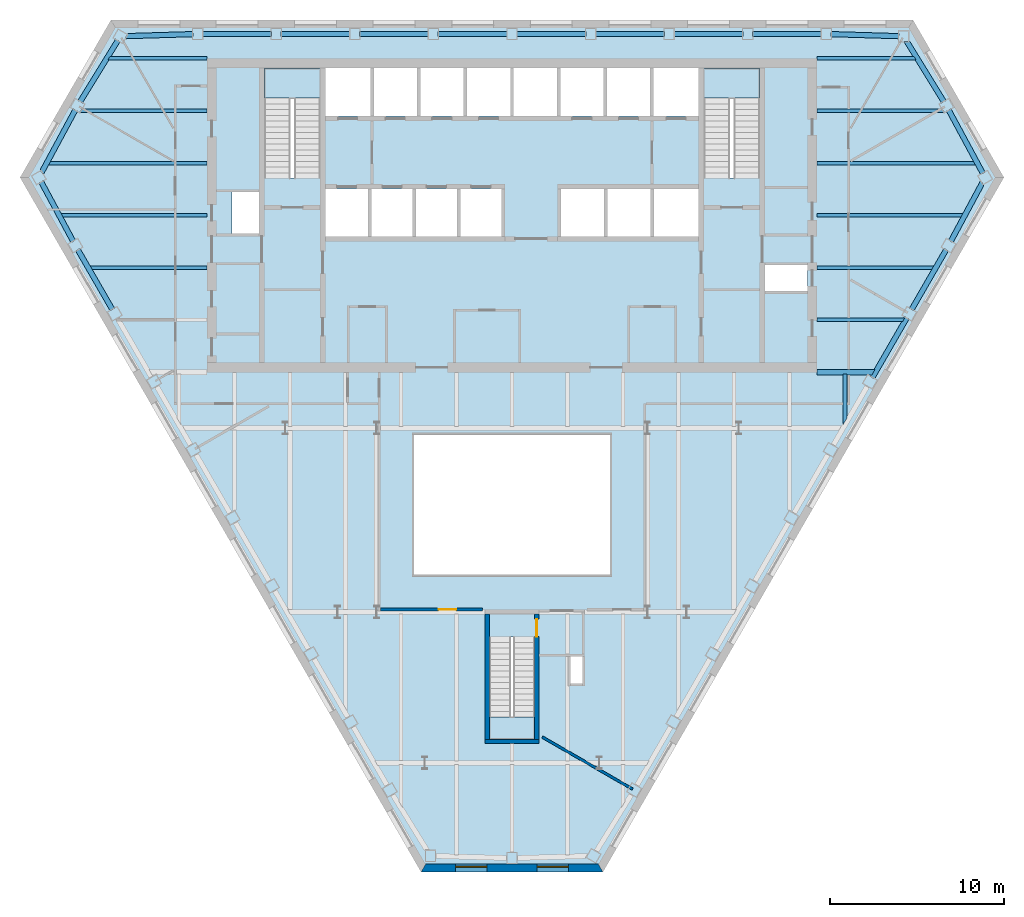
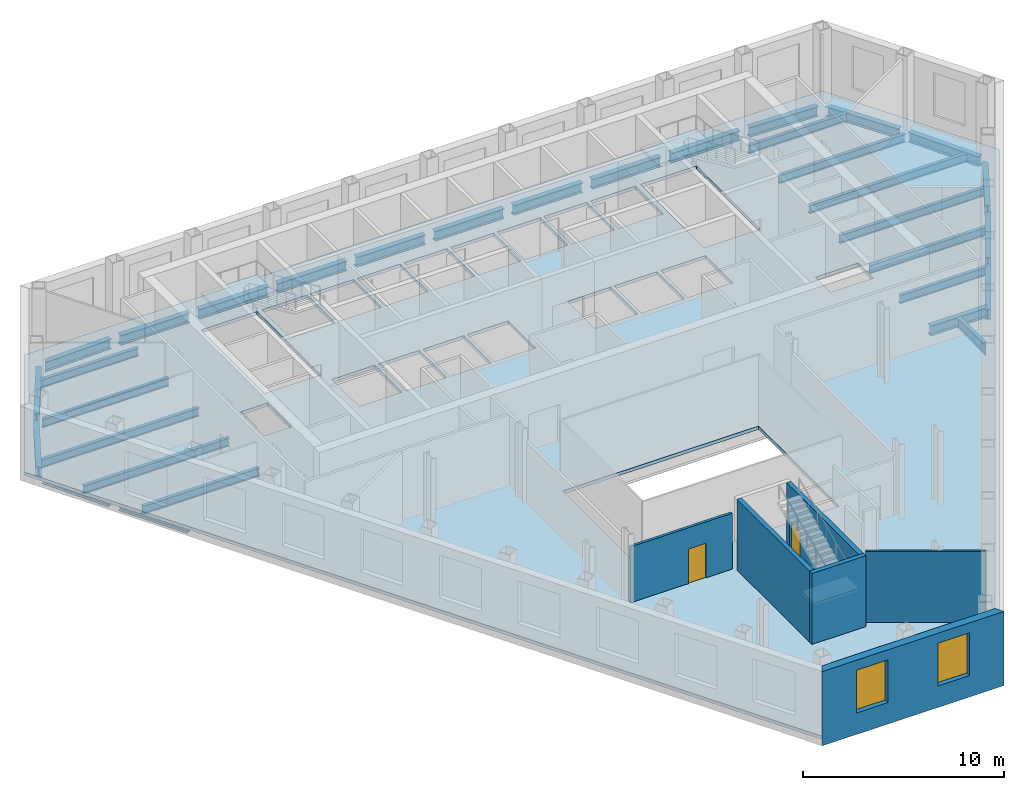
# One storey, part 3 of 11: 32 beams, 6 walls, 4 slabs, 2 doors, 2 windows, 4 openings, 3 elements without a shape of their own.
"""IFC4 building model written with IfcOpenShell, lengths in metres."""

from ifc_helpers import new_model, si_unit, direction, frame, frame_2d, origin, origin_2d, place, context, subcontext, project, spatial, polyline, rectangle, i_section, outline, extrude, clip, halfspace, material, layer, layer_set, material_profile, profile_set, type_object, element, fill, aggregate, save


model = new_model("IFC4")

# Units and contexts
model_context = context("Model", 3, precision=1e-05, world=origin(), true_north=direction((0.0, 1.0)))
body_context = subcontext(model_context, "Body", "Model", "MODEL_VIEW")
ifc_project = project(units=[si_unit("LENGTHUNIT", "METRE"), si_unit("AREAUNIT", "SQUARE_METRE"), si_unit("VOLUMEUNIT", "CUBIC_METRE"), si_unit("PLANEANGLEUNIT", "RADIAN"), si_unit("MASSUNIT", "GRAM", prefix="KILO")], contexts=[model_context])

# Site, building, storey
site_placement = place(None, origin())
site = spatial("IfcSite", under=ifc_project, at=site_placement, CompositionType="ELEMENT")
building_placement = place(site_placement, origin())
building = spatial("IfcBuilding", under=site, at=building_placement, Name="Njiva Tower", CompositionType="ELEMENT")
storey_placement = place(building_placement, frame((0.0, 0.0, 88.8)))
storey = spatial("IfcBuildingStorey", under=building, at=storey_placement, Name="L18", CompositionType="ELEMENT", Elevation=88.8)

# Beams
ifc_material_1 = material(Name="Steel S355 J2", Category="steel")
ifc_material_profile_1 = material_profile(ifc_material_1, i_section(OverallWidth=0.22, OverallDepth=0.6, WebThickness=0.012, FlangeThickness=0.019, at=origin_2d()), Name="IPE 600")
ifc_profile_set_1 = profile_set([ifc_material_profile_1], Name="Steel S355 J2")
beam_type_1 = type_object("IfcBeamType", Name="B14 Short-span floor joist IPE 600", PredefinedType="JOIST", material=ifc_profile_set_1)
beam_1_placement = place(storey_placement, frame((19.1, -0.1, -0.5), z_axis=(0.0, -1.0, 0.0), x_axis=(1.0, 0.0, 0.0)))
element("IfcBeam", 1, at=beam_1_placement, inside=storey, type_object=beam_type_1, Name="Short-span floor joist S06-B086", PredefinedType="JOIST", context=body_context, shape_type="Clipping", body=[
    clip(extrude(i_section(OverallWidth=0.22, OverallDepth=0.6, WebThickness=0.012, FlangeThickness=0.019, at=origin_2d()), origin(), (0.0, 0.0, 1.0), 2.923), halfspace(frame((0.0433, 0.0, 2.6366), z_axis=(0.866026552831, 0.0, 0.499998009787), x_axis=(0.0, 1.0, 0.0)), False)),
])
ifc_material_profile_2 = material_profile(ifc_material_1, i_section(OverallWidth=0.3, OverallDepth=0.6, WebThickness=0.0155, FlangeThickness=0.03, at=origin_2d()), Name="HEB 600")
ifc_profile_set_2 = profile_set([ifc_material_profile_2], Name="Steel S355 J2")
beam_type_2 = type_object("IfcBeamType", Name="B21 Short-span floor girder HEB 600", PredefinedType="BEAM", material=ifc_profile_set_2)
beam_2_placement = place(storey_placement, frame((17.5, 0.0, -0.5), z_axis=(1.0, 0.0, 0.0), x_axis=(0.0, 1.0, 0.0)))
element("IfcBeam", 2, at=beam_2_placement, inside=storey, type_object=beam_type_2, Name="Short-span floor girder S06-B027", PredefinedType="BEAM", context=body_context, shape_type="Clipping", body=[
    clip(extrude(i_section(OverallWidth=0.3, OverallDepth=0.6, WebThickness=0.0155, FlangeThickness=0.03, at=origin_2d()), origin(), (0.0, 0.0, 1.0), 3.33), halfspace(frame((-0.025, 0.0, 3.2089), z_axis=(-0.499998009787, 0.0, 0.866026552831), x_axis=(0.0, 1.0, 0.0)), False)),
])
ifc_material_profile_3 = material_profile(ifc_material_1, i_section(OverallWidth=0.2, OverallDepth=0.5, WebThickness=0.0102, FlangeThickness=0.016, at=origin_2d()), Name="IPE 500")
ifc_profile_set_3 = profile_set([ifc_material_profile_3], Name="Steel S355 J2")
beam_type_3 = type_object("IfcBeamType", Name="B24 Floor beam to the core IPE 500", PredefinedType="BEAM", material=ifc_profile_set_3)
beam_3_placement = place(storey_placement, frame((17.5, 3.0, -0.45), z_axis=(1.0, 0.0, 0.0), x_axis=(0.0, 1.0, 0.0)))
element("IfcBeam", 3, at=beam_3_placement, inside=storey, type_object=beam_type_3, Name="Floor beam to the core S06-B008", PredefinedType="BEAM", context=body_context, shape_type="Clipping", body=[
    clip(extrude(i_section(OverallWidth=0.2, OverallDepth=0.5, WebThickness=0.0102, FlangeThickness=0.016, at=origin_2d()), origin(), (0.0, 0.0, 1.0), 5.033), halfspace(frame((-0.025, 0.0, 4.9409), z_axis=(-0.499998009787, 0.0, 0.866026552831), x_axis=(0.0, 1.0, 0.0)), False)),
])
beam_4_placement = place(storey_placement, frame((-24.265, 6.0, -0.45), z_axis=(1.0, 0.0, 0.0), x_axis=(0.0, 1.0, 0.0)))
element("IfcBeam", 4, at=beam_4_placement, inside=storey, type_object=beam_type_3, Name="Floor beam to the core S06-B004", PredefinedType="BEAM", context=body_context, shape_type="Clipping", body=[
    clip(extrude(i_section(OverallWidth=0.2, OverallDepth=0.5, WebThickness=0.0102, FlangeThickness=0.016, at=origin_2d()), origin(), (0.0, 0.0, 1.0), 6.765), halfspace(frame((-0.025, 0.0, 0.092), z_axis=(-0.499998009787, 0.0, -0.866026552831), x_axis=(0.0, -1.0, 0.0)), False)),
])
beam_5_placement = place(storey_placement, frame((17.5, 6.0, -0.45), z_axis=(1.0, 0.0, 0.0), x_axis=(0.0, 1.0, 0.0)))
element("IfcBeam", 5, at=beam_5_placement, inside=storey, type_object=beam_type_3, Name="Floor beam to the core S06-B010", PredefinedType="BEAM", context=body_context, shape_type="Clipping", body=[
    clip(extrude(i_section(OverallWidth=0.2, OverallDepth=0.5, WebThickness=0.0102, FlangeThickness=0.016, at=origin_2d()), origin(), (0.0, 0.0, 1.0), 6.765), halfspace(frame((-0.025, 0.0, 6.673), z_axis=(-0.499998009787, 0.0, 0.866026552831), x_axis=(0.0, 1.0, 0.0)), False)),
])
beam_6_placement = place(storey_placement, frame((-25.927, 9.0, -0.45), z_axis=(1.0, 0.0, 0.0), x_axis=(0.0, 1.0, 0.0)))
element("IfcBeam", 6, at=beam_6_placement, inside=storey, type_object=beam_type_3, Name="Floor beam to the core S06-B002", PredefinedType="BEAM", context=body_context, shape_type="Clipping", body=[
    clip(extrude(i_section(OverallWidth=0.2, OverallDepth=0.5, WebThickness=0.0102, FlangeThickness=0.016, at=origin_2d()), origin(), (0.0, 0.0, 1.0), 8.427), halfspace(frame((-0.0237, 0.0, 0.0867), z_axis=(-0.47376166762, 0.0, -0.88065309986), x_axis=(0.0, -1.0, 0.0)), False)),
])
beam_7_placement = place(storey_placement, frame((17.5, 9.0, -0.45), z_axis=(1.0, 0.0, 0.0), x_axis=(0.0, 1.0, 0.0)))
element("IfcBeam", 7, at=beam_7_placement, inside=storey, type_object=beam_type_3, Name="Floor beam to the core S06-B011", PredefinedType="BEAM", context=body_context, shape_type="Clipping", body=[
    clip(extrude(i_section(OverallWidth=0.2, OverallDepth=0.5, WebThickness=0.0102, FlangeThickness=0.016, at=origin_2d()), origin(), (0.0, 0.0, 1.0), 8.427), halfspace(frame((-0.0237, 0.0, 8.3403), z_axis=(-0.47376166762, 0.0, 0.88065309986), x_axis=(0.0, 1.0, 0.0)), False)),
])
beam_8_placement = place(storey_placement, frame((-26.643, 12.0, -0.45), z_axis=(1.0, 0.0, 0.0), x_axis=(0.0, 1.0, 0.0)))
element("IfcBeam", 8, at=beam_8_placement, inside=storey, type_object=beam_type_3, Name="Floor beam to the core S06-B001", PredefinedType="BEAM", context=body_context, shape_type="Clipping", body=[
    clip(extrude(i_section(OverallWidth=0.2, OverallDepth=0.5, WebThickness=0.0102, FlangeThickness=0.016, at=origin_2d()), origin(), (0.0, 0.0, 1.0), 9.143), halfspace(frame((0.0238, 0.0, 0.0866), z_axis=(0.475159753962, 0.0, -0.879899544388), x_axis=(0.0, -1.0, 0.0)), False)),
])
beam_9_placement = place(storey_placement, frame((17.5, 12.0, -0.45), z_axis=(1.0, 0.0, 0.0), x_axis=(0.0, 1.0, 0.0)))
element("IfcBeam", 9, at=beam_9_placement, inside=storey, type_object=beam_type_3, Name="Floor beam to the core S06-B012", PredefinedType="BEAM", context=body_context, shape_type="Clipping", body=[
    clip(extrude(i_section(OverallWidth=0.2, OverallDepth=0.5, WebThickness=0.0102, FlangeThickness=0.016, at=origin_2d()), origin(), (0.0, 0.0, 1.0), 9.143), halfspace(frame((0.0238, 0.0, 9.0564), z_axis=(0.475159753962, 0.0, 0.879899544388), x_axis=(0.0, 1.0, 0.0)), False)),
])
beam_10_placement = place(storey_placement, frame((-24.806, 15.0, -0.45), z_axis=(1.0, 0.0, 0.0), x_axis=(0.0, 1.0, 0.0)))
element("IfcBeam", 10, at=beam_10_placement, inside=storey, type_object=beam_type_3, Name="Floor beam to the core S06-B003", PredefinedType="BEAM", context=body_context, shape_type="Clipping", body=[
    clip(extrude(i_section(OverallWidth=0.2, OverallDepth=0.5, WebThickness=0.0102, FlangeThickness=0.016, at=origin_2d()), origin(), (0.0, 0.0, 1.0), 7.306), halfspace(frame((0.025, 0.0, 0.0929), z_axis=(0.499998009787, 0.0, -0.866026552831), x_axis=(0.0, -1.0, 0.0)), False)),
])
beam_11_placement = place(storey_placement, frame((17.5, 15.0, -0.45), z_axis=(1.0, 0.0, 0.0), x_axis=(0.0, 1.0, 0.0)))
element("IfcBeam", 11, at=beam_11_placement, inside=storey, type_object=beam_type_3, Name="Floor beam to the core S06-B013", PredefinedType="BEAM", context=body_context, shape_type="Clipping", body=[
    clip(extrude(i_section(OverallWidth=0.2, OverallDepth=0.5, WebThickness=0.0102, FlangeThickness=0.016, at=origin_2d()), origin(), (0.0, 0.0, 1.0), 7.306), halfspace(frame((0.025, 0.0, 7.2131), z_axis=(0.499998009787, 0.0, 0.866026552831), x_axis=(0.0, 1.0, 0.0)), False)),
])
beam_12_placement = place(storey_placement, frame((-23.201, 18.0, -0.45), z_axis=(1.0, 0.0, 0.0), x_axis=(0.0, 1.0, 0.0)))
element("IfcBeam", 12, at=beam_12_placement, inside=storey, type_object=beam_type_3, Name="Floor beam to the core S06-B005", PredefinedType="BEAM", context=body_context, shape_type="Clipping", body=[
    clip(extrude(i_section(OverallWidth=0.2, OverallDepth=0.5, WebThickness=0.0102, FlangeThickness=0.016, at=origin_2d()), origin(), (0.0, 0.0, 1.0), 5.701), halfspace(frame((0.0262, 0.0, 0.098), z_axis=(0.524438842014, 0.0, -0.851448119962), x_axis=(0.0, -1.0, 0.0)), False)),
])
beam_13_placement = place(storey_placement, frame((17.5, 18.0, -0.45), z_axis=(1.0, 0.0, 0.0), x_axis=(0.0, 1.0, 0.0)))
element("IfcBeam", 13, at=beam_13_placement, inside=storey, type_object=beam_type_3, Name="Floor beam to the core S06-B014", PredefinedType="BEAM", context=body_context, shape_type="Clipping", body=[
    clip(extrude(i_section(OverallWidth=0.2, OverallDepth=0.5, WebThickness=0.0102, FlangeThickness=0.016, at=origin_2d()), origin(), (0.0, 0.0, 1.0), 5.701), halfspace(frame((0.0262, 0.0, 5.603), z_axis=(0.524438842014, 0.0, 0.851448119962), x_axis=(0.0, 1.0, 0.0)), False)),
])
ifc_material_profile_4 = material_profile(ifc_material_1, i_section(OverallWidth=0.3, OverallDepth=0.6, WebThickness=0.0155, FlangeThickness=0.03, at=origin_2d()), Name="HEB 600")
ifc_profile_set_4 = profile_set([ifc_material_profile_4], Name="Steel S355 J2")
beam_type_4 = type_object("IfcBeamType", Name="B3 Short-span spandrel beam HEB 600", PredefinedType="SPANDREL", material=ifc_profile_set_4)
beam_14_placement = place(storey_placement, frame((22.177, 19.275, -0.5), z_axis=(-0.999543780598, 0.030203156593, 0.0), x_axis=(-0.030203156593, -0.999543780598, 0.0)))
element("IfcBeam", 14, at=beam_14_placement, inside=storey, type_object=beam_type_4, Name="Short-span spandrel beam S06-B144", PredefinedType="SPANDREL", context=body_context, shape_type="SweptSolid", body=[
    extrude(i_section(OverallWidth=0.3, OverallDepth=0.6, WebThickness=0.0155, FlangeThickness=0.03, at=origin_2d()), origin(), (0.0, 0.0, 1.0), 3.8738),
])
beam_15_placement = place(storey_placement, frame((17.751, 19.4, -0.5), z_axis=(-1.0, 0.0, 0.0), x_axis=(0.0, -1.0, 0.0)))
element("IfcBeam", 15, at=beam_15_placement, inside=storey, type_object=beam_type_4, Name="Short-span spandrel beam S06-B138", PredefinedType="SPANDREL", context=body_context, shape_type="SweptSolid", body=[
    extrude(i_section(OverallWidth=0.3, OverallDepth=0.6, WebThickness=0.0155, FlangeThickness=0.03, at=origin_2d()), origin(), (0.0, 0.0, 1.0), 3.956),
])
beam_16_placement = place(storey_placement, frame((13.245, 19.4, -0.5), z_axis=(-1.0, 0.0, 0.0), x_axis=(0.0, -1.0, 0.0)))
element("IfcBeam", 16, at=beam_16_placement, inside=storey, type_object=beam_type_4, Name="Short-span spandrel beam S06-B133", PredefinedType="SPANDREL", context=body_context, shape_type="SweptSolid", body=[
    extrude(i_section(OverallWidth=0.3, OverallDepth=0.6, WebThickness=0.0155, FlangeThickness=0.03, at=origin_2d()), origin(), (0.0, 0.0, 1.0), 3.957),
])
beam_17_placement = place(storey_placement, frame((8.738, 19.4, -0.5), z_axis=(-1.0, 0.0, 0.0), x_axis=(0.0, -1.0, 0.0)))
element("IfcBeam", 17, at=beam_17_placement, inside=storey, type_object=beam_type_4, Name="Short-span spandrel beam S06-B129", PredefinedType="SPANDREL", context=body_context, shape_type="SweptSolid", body=[
    extrude(i_section(OverallWidth=0.3, OverallDepth=0.6, WebThickness=0.0155, FlangeThickness=0.03, at=origin_2d()), origin(), (0.0, 0.0, 1.0), 3.956),
])
for number, where, z_axis, x_axis, name in (
    (18, (4.232, 19.4, -0.5), (-1.0, 0.0, 0.0), (0.0, -1.0, 0.0), "Short-span spandrel beam S06-B125"),
    (19, (-0.275, 19.4, -0.5), (-1.0, 0.0, 0.0), (0.0, -1.0, 0.0), "Short-span spandrel beam S06-B124"),
):
    element("IfcBeam", number, at=place(storey_placement, frame(where, z_axis=z_axis, x_axis=x_axis)), inside=storey, type_object=beam_type_4, Name=name, PredefinedType="SPANDREL", context=body_context, shape_type="SweptSolid", body=[
        extrude(i_section(OverallWidth=0.3, OverallDepth=0.6, WebThickness=0.0155, FlangeThickness=0.03, at=origin_2d()), origin(), (0.0, 0.0, 1.0), 3.957),
    ])
beam_18_placement = place(storey_placement, frame((-4.782, 19.4, -0.5), z_axis=(-1.0, 0.0, 0.0), x_axis=(0.0, -1.0, 0.0)))
element("IfcBeam", 20, at=beam_18_placement, inside=storey, type_object=beam_type_4, Name="Short-span spandrel beam S06-B119", PredefinedType="SPANDREL", context=body_context, shape_type="SweptSolid", body=[
    extrude(i_section(OverallWidth=0.3, OverallDepth=0.6, WebThickness=0.0155, FlangeThickness=0.03, at=origin_2d()), origin(), (0.0, 0.0, 1.0), 3.956),
])
beam_19_placement = place(storey_placement, frame((-9.288, 19.4, -0.5), z_axis=(-1.0, 0.0, 0.0), x_axis=(0.0, -1.0, 0.0)))
element("IfcBeam", 21, at=beam_19_placement, inside=storey, type_object=beam_type_4, Name="Short-span spandrel beam S06-B114", PredefinedType="SPANDREL", context=body_context, shape_type="SweptSolid", body=[
    extrude(i_section(OverallWidth=0.3, OverallDepth=0.6, WebThickness=0.0155, FlangeThickness=0.03, at=origin_2d()), origin(), (0.0, 0.0, 1.0), 3.957),
])
beam_20_placement = place(storey_placement, frame((-13.795, 19.4, -0.5), z_axis=(-1.0, 0.0, 0.0), x_axis=(0.0, -1.0, 0.0)))
element("IfcBeam", 22, at=beam_20_placement, inside=storey, type_object=beam_type_4, Name="Short-span spandrel beam S06-B109", PredefinedType="SPANDREL", context=body_context, shape_type="SweptSolid", body=[
    extrude(i_section(OverallWidth=0.3, OverallDepth=0.6, WebThickness=0.0155, FlangeThickness=0.03, at=origin_2d()), origin(), (0.0, 0.0, 1.0), 3.956),
])
beam_21_placement = place(storey_placement, frame((-18.305, 19.392, -0.5), z_axis=(-0.999542144167, -0.030257264169, 0.0), x_axis=(0.030257264169, -0.999542144167, 0.0)))
element("IfcBeam", 23, at=beam_21_placement, inside=storey, type_object=beam_type_4, Name="Short-span spandrel beam S06-B103", PredefinedType="SPANDREL", context=body_context, shape_type="Clipping", body=[
    clip(extrude(i_section(OverallWidth=0.3, OverallDepth=0.6, WebThickness=0.0155, FlangeThickness=0.03, at=origin_2d()), origin(), (0.0, 0.0, 1.0), 3.9137), halfspace(frame((-0.0268, 0.0, 3.784), z_axis=(-0.525972676968, 0.0, 0.850501465656), x_axis=(0.0, 1.0, 0.0)), False)),
])
beam_22_placement = place(storey_placement, frame((-22.602, 19.03, -0.5), z_axis=(-0.524381711278, -0.851483306282, 0.0), x_axis=(0.851483306282, -0.524381711278, 0.0)))
element("IfcBeam", 24, at=beam_22_placement, inside=storey, type_object=beam_type_4, Name="Short-span spandrel beam S06-B099", PredefinedType="SPANDREL", context=body_context, shape_type="SweptSolid", body=[
    extrude(i_section(OverallWidth=0.3, OverallDepth=0.6, WebThickness=0.0155, FlangeThickness=0.03, at=origin_2d()), origin(), (0.0, 0.0, 1.0), 4.121),
])
beam_23_placement = place(storey_placement, frame((-25.042, 15.039, -0.5), z_axis=(-0.475057104316, -0.879954969097, 0.0), x_axis=(0.879954969097, -0.475057104316, 0.0)))
element("IfcBeam", 25, at=beam_23_placement, inside=storey, type_object=beam_type_4, Name="Short-span spandrel beam S06-B095", PredefinedType="SPANDREL", context=body_context, shape_type="Clipping", body=[
    clip(extrude(i_section(OverallWidth=0.3, OverallDepth=0.6, WebThickness=0.0155, FlangeThickness=0.03, at=origin_2d()), origin(), (0.0, 0.0, 1.0), 4.1599), halfspace(frame((-0.0265, 0.0, 4.0321), z_axis=(-0.524536761841, 0.0, 0.8513877997), x_axis=(0.0, 1.0, 0.0)), False)),
])
beam_24_placement = place(storey_placement, frame((-27.0, 10.922, -0.5), z_axis=(0.473761074189, -0.880653419106, 0.0), x_axis=(0.880653419106, 0.473761074189, 0.0)))
element("IfcBeam", 26, at=beam_24_placement, inside=storey, type_object=beam_type_4, Name="Short-span spandrel beam S06-B094", PredefinedType="SPANDREL", context=body_context, shape_type="SweptSolid", body=[
    extrude(i_section(OverallWidth=0.3, OverallDepth=0.6, WebThickness=0.0155, FlangeThickness=0.03, at=origin_2d()), origin(), (0.0, 0.0, 1.0), 3.8733),
])
beam_25_placement = place(storey_placement, frame((-24.896, 7.027, -0.5), z_axis=(0.500079715141, -0.865979375335, 0.0), x_axis=(0.865979375335, 0.500079715141, 0.0)))
element("IfcBeam", 27, at=beam_25_placement, inside=storey, type_object=beam_type_4, Name="Short-span spandrel beam S06-B097", PredefinedType="SPANDREL", context=body_context, shape_type="SweptSolid", body=[
    extrude(i_section(OverallWidth=0.3, OverallDepth=0.6, WebThickness=0.0155, FlangeThickness=0.03, at=origin_2d()), origin(), (0.0, 0.0, 1.0), 3.9574),
])
beam_26_placement = place(storey_placement, frame((20.664, -0.303, -0.5), z_axis=(0.499890179513, 0.866088799389, 0.0), x_axis=(-0.866088799389, 0.499890179513, 0.0)))
element("IfcBeam", 28, at=beam_26_placement, inside=storey, type_object=beam_type_4, Name="Short-span spandrel beam S06-B149", PredefinedType="SPANDREL", context=body_context, shape_type="SweptSolid", body=[
    extrude(i_section(OverallWidth=0.3, OverallDepth=0.6, WebThickness=0.0155, FlangeThickness=0.03, at=origin_2d()), origin(), (0.0, 0.0, 1.0), 3.9569),
])
beam_27_placement = place(storey_placement, frame((22.917, 3.6, -0.5), z_axis=(0.500079715141, 0.865979375335, 0.0), x_axis=(-0.865979375335, 0.500079715141, 0.0)))
element("IfcBeam", 29, at=beam_27_placement, inside=storey, type_object=beam_type_4, Name="Short-span spandrel beam S06-B152", PredefinedType="SPANDREL", context=body_context, shape_type="SweptSolid", body=[
    extrude(i_section(OverallWidth=0.3, OverallDepth=0.6, WebThickness=0.0155, FlangeThickness=0.03, at=origin_2d()), origin(), (0.0, 0.0, 1.0), 3.9574),
])
beam_28_placement = place(storey_placement, frame((25.165, 7.511, -0.5), z_axis=(0.473958577477, 0.88054714061, 0.0), x_axis=(-0.88054714061, 0.473958577477, 0.0)))
element("IfcBeam", 30, at=beam_28_placement, inside=storey, type_object=beam_type_4, Name="Short-span spandrel beam S06-B156", PredefinedType="SPANDREL", context=body_context, shape_type="Clipping", body=[
    clip(extrude(i_section(OverallWidth=0.3, OverallDepth=0.6, WebThickness=0.0155, FlangeThickness=0.03, at=origin_2d()), origin(), (0.0, 0.0, 1.0), 3.9129), halfspace(frame((-0.0259, 0.0, 3.7834), z_axis=(-0.525598859328, 0.0, 0.850732530866), x_axis=(0.0, 1.0, 0.0)), False)),
])
beam_29_placement = place(storey_placement, frame((27.0, 11.412, -0.5), z_axis=(-0.475039963556, 0.879964222582, 0.0), x_axis=(-0.879964222582, -0.475039963556, 0.0)))
element("IfcBeam", 31, at=beam_29_placement, inside=storey, type_object=beam_type_4, Name="Short-span spandrel beam S06-B153", PredefinedType="SPANDREL", context=body_context, shape_type="SweptSolid", body=[
    extrude(i_section(OverallWidth=0.3, OverallDepth=0.6, WebThickness=0.0155, FlangeThickness=0.03, at=origin_2d()), origin(), (0.0, 0.0, 1.0), 4.1218),
])
beam_30_placement = place(storey_placement, frame((24.763, 15.521, -0.5), z_axis=(-0.524345563629, 0.851505566572, 0.0), x_axis=(-0.851505566572, -0.524345563629, 0.0)))
element("IfcBeam", 32, at=beam_30_placement, inside=storey, type_object=beam_type_4, Name="Short-span spandrel beam S06-B150", PredefinedType="SPANDREL", context=body_context, shape_type="Clipping", body=[
    clip(extrude(i_section(OverallWidth=0.3, OverallDepth=0.6, WebThickness=0.0155, FlangeThickness=0.03, at=origin_2d()), origin(), (0.0, 0.0, 1.0), 4.1589), halfspace(frame((-0.0262, 0.0, 4.0308), z_axis=(-0.524345563629, 0.0, 0.851505566572), x_axis=(0.0, 1.0, 0.0)), False)),
])

# Stair, slab
ifc_material_2 = material(Name="Concrete C40/50", Category="concrete")
stair_type_1 = type_object("IfcStairType", Name="ST4 Exit stair 1500", PredefinedType="HALF_TURN_STAIR", material=ifc_material_2)
stair_1_placement = place(storey_placement, origin())
stair_1 = element("IfcStair", 33, at=stair_1_placement, inside=storey, type_object=stair_type_1, Name="Stair A", PredefinedType="HALF_TURN_STAIR")
ifc_layer_1 = layer(ifc_material_2, 0.2)
ifc_layer_set_1 = layer_set([ifc_layer_1], Name="Concrete C40/50")
slab_type_1 = type_object("IfcSlabType", Name="FL9 Stair landing 200", PredefinedType="LANDING", material=ifc_layer_set_1)
slab_1_placement = place(storey_placement, frame((0.0, 0.0, 2.05)))
slab_1 = element("IfcSlab", 34, at=slab_1_placement, type_object=slab_type_1, Name="ST-A landing 1", PredefinedType="LANDING", context=body_context, shape_type="SweptSolid", body=[
    extrude(outline(polyline([(-14.206, 15.72), (-10.994, 15.72), (-10.994, 17.45), (-14.206, 17.45), (-14.206, 15.72)])), origin(), (0.0, 0.0, 1.0), 0.2),
])
aggregate(stair_1, [slab_1])

stair_2_placement = place(storey_placement, origin())
stair_2 = element("IfcStair", 35, at=stair_2_placement, inside=storey, type_object=stair_type_1, Name="Stair B", PredefinedType="HALF_TURN_STAIR")
slab_2_placement = place(storey_placement, frame((0.0, 0.0, 2.05)))
slab_2 = element("IfcSlab", 36, at=slab_2_placement, type_object=slab_type_1, Name="ST-B landing 1", PredefinedType="LANDING", context=body_context, shape_type="SweptSolid", body=[
    extrude(outline(polyline([(10.994, 15.72), (14.206, 15.72), (14.206, 17.45), (10.994, 17.45), (10.994, 15.72)])), origin(), (0.0, 0.0, 1.0), 0.2),
])
aggregate(stair_2, [slab_2])

stair_type_2 = type_object("IfcStairType", Name="ST1 Exit stair 1250", PredefinedType="HALF_TURN_STAIR", material=ifc_material_2)
stair_3_placement = place(storey_placement, origin())
stair_3 = element("IfcStair", 37, at=stair_3_placement, inside=storey, type_object=stair_type_2, Name="Stair C", PredefinedType="HALF_TURN_STAIR")
slab_3_placement = place(storey_placement, frame((0.0, 0.0, 2.05)))
slab_3 = element("IfcSlab", 38, at=slab_3_placement, type_object=slab_type_1, Name="ST-C landing 1", PredefinedType="LANDING", context=body_context, shape_type="SweptSolid", body=[
    extrude(outline(polyline([(-1.306, -21.05), (1.306, -21.05), (1.306, -19.78), (-1.306, -19.78), (-1.306, -21.05)])), origin(), (0.0, 0.0, 1.0), 0.2),
])
aggregate(stair_3, [slab_3])

# Slab
ifc_material_3 = material(Name="Concrete C30/37", Category="concrete")
ifc_layer_2 = layer(ifc_material_3, 0.2)
ifc_layer_set_2 = layer_set([ifc_layer_2], Name="Concrete C30/37")
slab_type_2 = type_object("IfcSlabType", Name="SL16 Composite floor slab 200", PredefinedType="FLOOR", material=ifc_layer_set_2)
slab_4_placement = place(storey_placement, frame((0.0, 0.0, -0.2)))
element("IfcSlab", 39, at=slab_4_placement, inside=storey, type_object=slab_type_2, Name="Floor slab L18", PredefinedType="FLOOR", context=body_context, shape_type="SweptSolid", body=[
    extrude(outline(polyline([(27.9502, 11.1674), (5.0851, -28.4362), (-5.0851, -28.4362), (-27.9502, 11.1674), (-22.8651, 19.975), (22.8651, 19.975), (27.9502, 11.1674)]), holes=[polyline([(14.5, 4.65), (16.95, 4.65), (16.95, 6.15), (14.5, 6.15), (14.5, 4.65)]), polyline([(10.994, 17.45), (10.994, 11.13), (14.206, 11.13), (14.206, 17.45), (10.994, 17.45)]), polyline([(8.125, 17.45), (8.125, 14.7), (10.7, 14.7), (10.7, 17.45), (8.125, 17.45)]), polyline([(8.1333, 7.8), (10.7, 7.8), (10.7, 10.5), (8.1333, 10.5), (8.1333, 7.8)]), polyline([(5.4667, 10.5), (5.4667, 7.8), (7.9333, 7.8), (7.9333, 10.5), (5.4667, 10.5)]), polyline([(5.45, 17.45), (5.45, 14.7), (7.925, 14.7), (7.925, 17.45), (5.45, 17.45)]), polyline([(5.61, -11.6), (5.61, -3.6), (-5.61, -3.6), (-5.61, -11.6), (5.61, -11.6)]), polyline([(2.8, 10.5), (2.8, 7.8), (5.2667, 7.8), (5.2667, 10.5), (2.8, 10.5)]), polyline([(2.775, 14.7), (5.25, 14.7), (5.25, 17.45), (2.775, 17.45), (2.775, 14.7)]), polyline([(3.35, -17.85), (4.05, -17.85), (4.05, -16.3), (3.35, -16.3), (3.35, -17.85)]), polyline([(0.1, 17.45), (0.1, 14.7), (2.575, 14.7), (2.575, 17.45), (0.1, 17.45)]), polyline([(-1.306, -21.05), (1.306, -21.05), (1.306, -15.19), (-1.306, -15.19), (-1.306, -21.05)]), polyline([(-2.575, 17.45), (-2.575, 14.7), (-0.1, 14.7), (-0.1, 17.45), (-2.575, 17.45)]), polyline([(-2.95, 7.8), (-0.6, 7.8), (-0.6, 10.5), (-2.95, 10.5), (-2.95, 7.8)]), polyline([(-5.25, 17.45), (-5.25, 14.7), (-2.775, 14.7), (-2.775, 17.45), (-5.25, 17.45)]), polyline([(-5.5, 10.5), (-5.5, 7.8), (-3.15, 7.8), (-3.15, 10.5), (-5.5, 10.5)]), polyline([(-7.925, 14.7), (-5.45, 14.7), (-5.45, 17.45), (-7.925, 17.45), (-7.925, 14.7)]), polyline([(-8.05, 10.5), (-8.05, 7.8), (-5.7, 7.8), (-5.7, 10.5), (-8.05, 10.5)]), polyline([(-10.7, 17.45), (-10.7, 14.7), (-8.125, 14.7), (-8.125, 17.45), (-10.7, 17.45)]), polyline([(-10.7, 7.8), (-8.25, 7.8), (-8.25, 10.5), (-10.7, 10.5), (-10.7, 7.8)]), polyline([(-14.206, 17.45), (-14.206, 11.13), (-10.994, 11.13), (-10.994, 17.45), (-14.206, 17.45)]), polyline([(-14.5, 10.3319), (-16.05, 10.3319), (-16.05, 7.95), (-14.5, 7.95), (-14.5, 10.3319)])]), origin(), (0.0, 0.0, 1.0), 0.2),
])

# Wall, opening, door
ifc_material_4 = material(Name="Gypsum board on steel studs", Category="gypsum")
ifc_layer_3 = layer(ifc_material_4, 0.15)
ifc_layer_set_3 = layer_set([ifc_layer_3], Name="Gypsum board on steel studs")
wall_type_1 = type_object("IfcWallType", Name="WT21 Compartment wall 150", PredefinedType="PARTITIONING", material=ifc_layer_set_3)
wall_1_placement = place(storey_placement, frame((-7.535, -13.6, 0.0), z_axis=(0.0, 0.0, 1.0), x_axis=(1.0, 0.0, 0.0)))
wall_1 = element("IfcWall", 40, at=wall_1_placement, inside=storey, type_object=wall_type_1, Name="Partition S06-P014", PredefinedType="PARTITIONING", context=body_context, shape_type="SweptSolid", body=[
    extrude(rectangle(XDim=5.835, YDim=0.15, at=frame_2d((2.9175, 0.0))), origin(), (0.0, 0.0, 1.0), 3.39),
])
opening_1_placement = place(wall_1_placement, frame((3.324, 0.0, 0.0)))
opening_1 = element("IfcOpeningElement", 41, at=opening_1_placement, cuts=wall_1, Name="Opening S06-D009", PredefinedType="OPENING", context=body_context, shape_type="SweptSolid", body=[
    extrude(rectangle(XDim=1.0, YDim=2.1, at=frame_2d((0.5, 1.05))), frame((0.0, 0.085, 0.0), z_axis=(0.0, -1.0, 0.0), x_axis=(1.0, 0.0, 0.0)), (0.0, 0.0, 1.0), 0.17),
])
ifc_material_5 = material(Name="Steel fire door set", Category="steel")
door_type_1 = type_object("IfcDoorType", Name="D37 Fire door 1000x2100", OperationType="SINGLE_SWING_LEFT", PredefinedType="DOOR", material=ifc_material_5)
door_1_placement = place(opening_1_placement, origin())
door_1 = element("IfcDoor", 42, at=door_1_placement, inside=storey, type_object=door_type_1, Name="Door S06-D009", OperationType="SINGLE_SWING_RIGHT", OverallHeight=2.1, OverallWidth=1.0, PredefinedType="DOOR", context=body_context, shape_type="SweptSolid", body=[
    extrude(rectangle(XDim=1.0, YDim=2.1, at=frame_2d((0.5, 1.05))), frame((0.0, 0.025, 0.0), z_axis=(0.0, -1.0, 0.0), x_axis=(1.0, 0.0, 0.0)), (0.0, 0.0, 1.0), 0.05),
])
fill(opening_1, door_1)

# Walls
wall_2_placement = place(storey_placement, frame((1.737, -20.916, 0.0), z_axis=(0.0, 0.0, 1.0), x_axis=(0.866168895605, -0.499751382476, 0.0)))
element("IfcWall", 43, at=wall_2_placement, inside=storey, type_object=wall_type_1, Name="Partition S06-P015", PredefinedType="PARTITIONING", context=body_context, shape_type="SweptSolid", body=[
    extrude(rectangle(XDim=5.985, YDim=0.15, at=frame_2d((2.9925, 0.0))), origin(), (0.0, 0.0, 1.0), 4.3),
])
ifc_layer_4 = layer(ifc_material_2, 0.25)
ifc_layer_set_4 = layer_set([ifc_layer_4], Name="Concrete C40/50")
wall_type_2 = type_object("IfcWallType", Name="WT9 Stair enclosure wall 250", PredefinedType="SHEAR", material=ifc_layer_set_4)
wall_3_placement = place(storey_placement, frame((-1.425, -21.05, 0.0), z_axis=(0.0, 0.0, 1.0), x_axis=(0.0, 1.0, 0.0)))
element("IfcWall", 44, at=wall_3_placement, inside=storey, type_object=wall_type_2, Name="Stair C wall west", PredefinedType="SHEAR", context=body_context, shape_type="SweptSolid", body=[
    extrude(rectangle(XDim=7.2, YDim=0.25, at=frame_2d((3.6, 0.0))), origin(), (0.0, 0.0, 1.0), 4.3),
])

# Wall, opening, door
wall_4_placement = place(storey_placement, frame((1.425, -21.05, 0.0), z_axis=(0.0, 0.0, 1.0), x_axis=(0.0, 1.0, 0.0)))
wall_4 = element("IfcWall", 45, at=wall_4_placement, inside=storey, type_object=wall_type_2, Name="Stair C wall east", PredefinedType="SHEAR", context=body_context, shape_type="SweptSolid", body=[
    extrude(rectangle(XDim=7.2, YDim=0.25, at=frame_2d((3.6, 0.0))), origin(), (0.0, 0.0, 1.0), 4.3),
])
opening_2_placement = place(wall_4_placement, frame((5.89, 0.0, 0.0)))
opening_2 = element("IfcOpeningElement", 46, at=opening_2_placement, cuts=wall_4, Name="Opening S06-D938", PredefinedType="OPENING", context=body_context, shape_type="SweptSolid", body=[
    extrude(rectangle(XDim=1.0, YDim=2.1, at=frame_2d((0.5, 1.05))), frame((0.0, 0.135, 0.0), z_axis=(0.0, -1.0, 0.0), x_axis=(1.0, 0.0, 0.0)), (0.0, 0.0, 1.0), 0.27),
])
ifc_material_6 = material(Name="Glazed steel fire door", Category="steel")
door_type_2 = type_object("IfcDoorType", Name="D9 Stair vestibule door 1000x2100 glazed", OperationType="SINGLE_SWING_LEFT", PredefinedType="DOOR", material=ifc_material_6)
door_2_placement = place(opening_2_placement, origin())
door_2 = element("IfcDoor", 47, at=door_2_placement, inside=storey, type_object=door_type_2, Name="Stair C door", OperationType="SINGLE_SWING_LEFT", OverallHeight=2.1, OverallWidth=1.0, PredefinedType="DOOR", context=body_context, shape_type="SweptSolid", body=[
    extrude(rectangle(XDim=1.0, YDim=2.1, at=frame_2d((0.5, 1.05))), frame((0.0, 0.025, 0.0), z_axis=(0.0, -1.0, 0.0), x_axis=(1.0, 0.0, 0.0)), (0.0, 0.0, 1.0), 0.05),
])
fill(opening_2, door_2)

# Wall
wall_5_placement = place(storey_placement, frame((-1.55, -21.175, 0.0), z_axis=(0.0, 0.0, 1.0), x_axis=(1.0, 0.0, 0.0)))
element("IfcWall", 48, at=wall_5_placement, inside=storey, type_object=wall_type_2, Name="Stair C wall south", PredefinedType="SHEAR", context=body_context, shape_type="SweptSolid", body=[
    extrude(rectangle(XDim=3.1, YDim=0.25, at=frame_2d((1.55, 0.0))), origin(), (0.0, 0.0, 1.0), 4.3),
])

# Wall, openings, windows
ifc_material_7 = material(Name="Brick masonry, buff", Category="masonry")
ifc_layer_5 = layer(ifc_material_7, 0.45)
ifc_layer_set_5 = layer_set([ifc_layer_5], Name="Brick masonry, buff")
wall_type_3 = type_object("IfcWallType", Name="WT94 Brick pier and spandrel wall 450, buff", PredefinedType="SOLIDWALL", material=ifc_layer_set_5)
wall_6_placement = place(storey_placement, frame((-5.0851, -28.4362, -0.4), z_axis=(0.0, 0.0, 1.0), x_axis=(1.0, 0.0, 0.0)))
wall_6 = element("IfcWall", 49, at=wall_6_placement, inside=storey, type_object=wall_type_3, Name="Facade wall S", PredefinedType="SOLIDWALL", context=body_context, shape_type="SweptSolid", body=[
    extrude(outline(polyline([(-0.1299, -0.225), (10.3001, -0.225), (10.0403, 0.225), (0.1299, 0.225), (-0.1299, -0.225)])), origin(), (0.0, 0.0, 1.0), 4.5),
])
opening_3_placement = place(wall_6_placement, frame((1.8469, 0.0, 1.3)))
opening_3 = element("IfcOpeningElement", 50, at=opening_3_placement, cuts=wall_6, Name="Opening S06-W22", PredefinedType="OPENING", context=body_context, shape_type="SweptSolid", body=[
    extrude(rectangle(XDim=1.8, YDim=2.6, at=frame_2d((0.9, 1.3))), frame((0.0, 0.235, 0.0), z_axis=(0.0, -1.0, 0.0), x_axis=(1.0, 0.0, 0.0)), (0.0, 0.0, 1.0), 0.47),
])
opening_4_placement = place(wall_6_placement, frame((6.5232, 0.0, 1.3)))
opening_4 = element("IfcOpeningElement", 51, at=opening_4_placement, cuts=wall_6, Name="Opening S06-W23", PredefinedType="OPENING", context=body_context, shape_type="SweptSolid", body=[
    extrude(rectangle(XDim=1.8, YDim=2.6, at=frame_2d((0.9, 1.3))), frame((0.0, 0.235, 0.0), z_axis=(0.0, -1.0, 0.0), x_axis=(1.0, 0.0, 0.0)), (0.0, 0.0, 1.0), 0.47),
])
ifc_material_8 = material(Name="Clear glazing in aluminium frame", Category="aluminium")
window_type = type_object("IfcWindowType", Name="W96 Deep-set window 1800x2600", PartitioningType="SINGLE_PANEL", PredefinedType="WINDOW", material=ifc_material_8)
window_1_placement = place(opening_3_placement, origin())
window_1 = element("IfcWindow", 52, at=window_1_placement, inside=storey, type_object=window_type, Name="Window", OverallHeight=2.6, OverallWidth=1.8, PartitioningType="SINGLE_PANEL", PredefinedType="WINDOW", context=body_context, shape_type="SweptSolid", body=[
    extrude(rectangle(XDim=1.8, YDim=2.6, at=frame_2d((0.9, 1.3))), frame((0.0, 0.105, 0.0), z_axis=(0.0, -1.0, 0.0), x_axis=(1.0, 0.0, 0.0)), (0.0, 0.0, 1.0), 0.06),
])
fill(opening_3, window_1)
window_2_placement = place(opening_4_placement, origin())
window_2 = element("IfcWindow", 53, at=window_2_placement, inside=storey, type_object=window_type, Name="Window", OverallHeight=2.6, OverallWidth=1.8, PartitioningType="SINGLE_PANEL", PredefinedType="WINDOW", context=body_context, shape_type="SweptSolid", body=[
    extrude(rectangle(XDim=1.8, YDim=2.6, at=frame_2d((0.9, 1.3))), frame((0.0, 0.105, 0.0), z_axis=(0.0, -1.0, 0.0), x_axis=(1.0, 0.0, 0.0)), (0.0, 0.0, 1.0), 0.06),
])
fill(opening_4, window_2)

save(model, "model.ifc")
